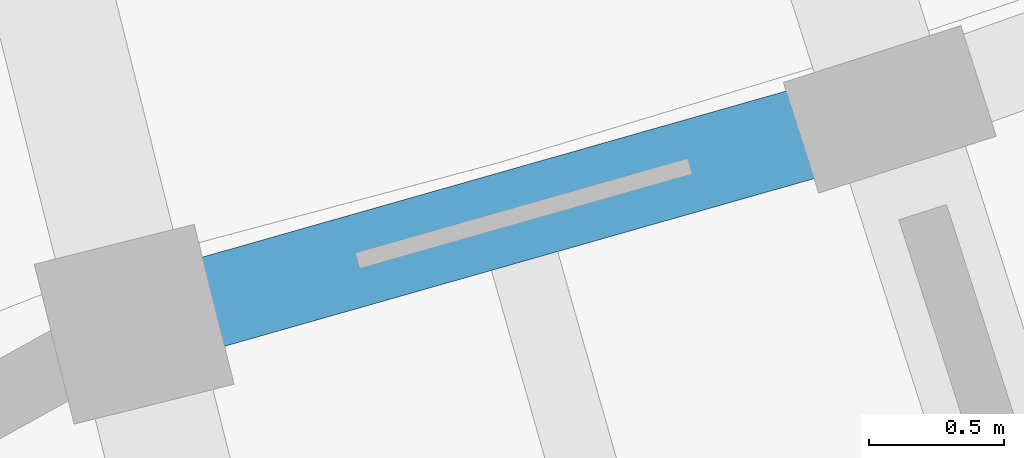
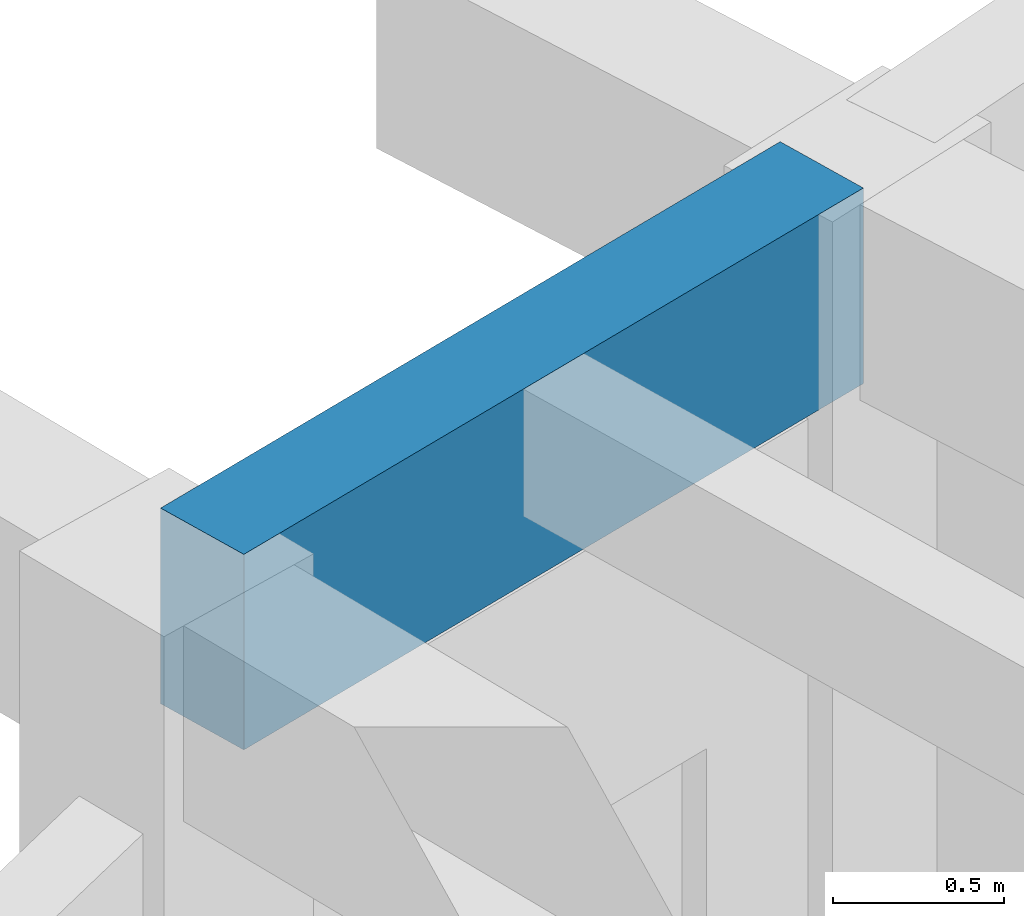
# One storey, part 27 of 128: 1 beam.
"""IFC4 building model written with IfcOpenShell, lengths in metres."""

from ifc_helpers import new_model, si_unit, direction, frame, origin, origin_2d, place, context, subcontext, project, spatial, rectangle, extrude, material, material_profile, profile_set, type_object, element, save


model = new_model("IFC4")

# Units and contexts
model_context = context("Model", 3, precision=1e-05, world=origin(), true_north=direction((0.0, 1.0)))
body_context = subcontext(model_context, "Body", "Model", "MODEL_VIEW")
ifc_project = project(units=[si_unit("LENGTHUNIT", "METRE"), si_unit("AREAUNIT", "SQUARE_METRE"), si_unit("VOLUMEUNIT", "CUBIC_METRE"), si_unit("PLANEANGLEUNIT", "RADIAN"), si_unit("MASSUNIT", "GRAM", prefix="KILO")], contexts=[model_context])

# Site, building, storey
site_placement = place(None, origin())
site = spatial("IfcSite", under=ifc_project, at=site_placement, CompositionType="ELEMENT")
building_placement = place(site_placement, origin())
building = spatial("IfcBuilding", under=site, at=building_placement, Name="Tanwirah Colonnade Gardens", CompositionType="ELEMENT")
storey_placement = place(building_placement, frame((0.0, 0.0, 4.760009765625)))
storey = spatial("IfcBuildingStorey", under=building, at=storey_placement, Name="L01", CompositionType="ELEMENT", Elevation=4.760009765625)

# Beam
ifc_material = material(Name="Precast concrete C45/55", Category="concrete")
ifc_material_profile = material_profile(ifc_material, rectangle(XDim=0.340087890625, YDim=0.699951171875, at=origin_2d()), Name="PC-SP 340x700")
ifc_profile_set = profile_set([ifc_material_profile], Name="Precast concrete C45/55")
beam_type = type_object("IfcBeamType", Name="SP-PC340", PredefinedType="SPANDREL", material=ifc_profile_set)
beam_placement = place(storey_placement, frame((131.897705078125, 21.411376953125, 3.47509765625), z_axis=(0.961858721299, 0.273546705814, 0.0), x_axis=(-0.273546705814, 0.961858721299, 0.0)))
element("IfcBeam", 1, at=beam_placement, inside=storey, type_object=beam_type, Name="Block D L01 Circumferential Beam 0-R0", PredefinedType="SPANDREL", context=body_context, shape_type="SweptSolid", body=[
    extrude(rectangle(XDim=0.340087890625, YDim=0.699951171875, at=origin_2d()), origin(), (0.0, 0.0, 1.0), 2.60888671875),
])

save(model, "model.ifc")
